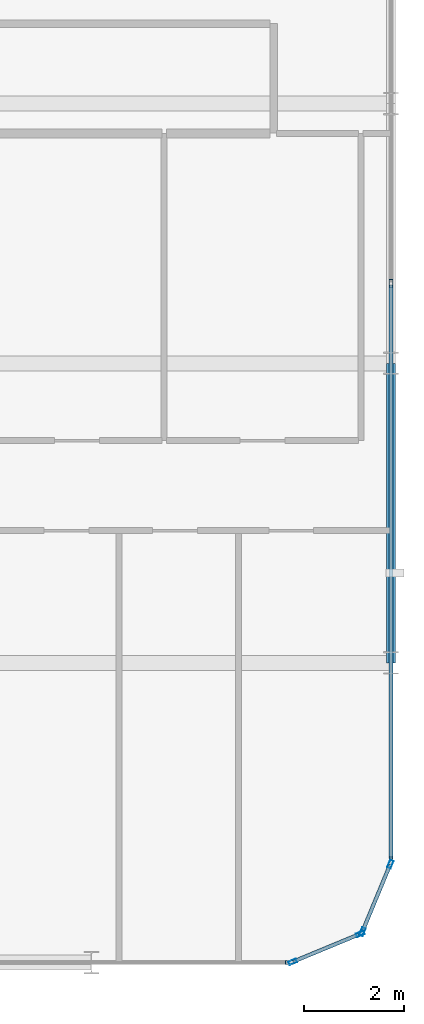
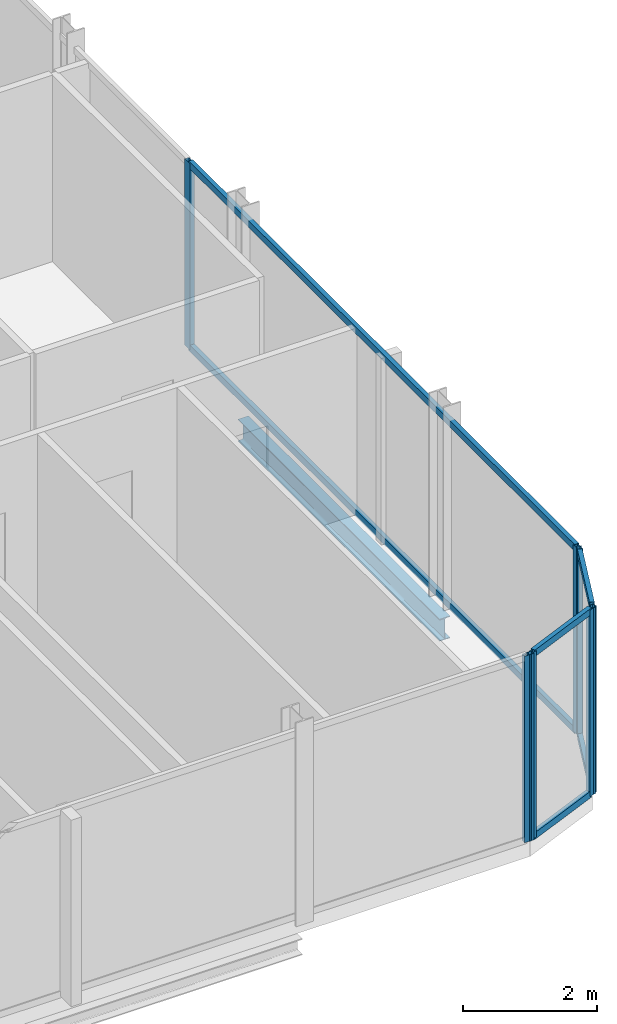
# One storey, part 12 of 29: 13 members, 1 beam, 4 elements without a shape of their own.
"""IFC4 building model written with IfcOpenShell, lengths in metres."""

from ifc_helpers import new_model, si_unit, direction, frame, origin, origin_2d, place, context, subcontext, project, spatial, hollow_rectangle, i_section, extrude, material, layer, layer_set, material_profile, profile_set, type_object, element, aggregate, save


model = new_model("IFC4")

# Units and contexts
model_context = context("Model", 3, precision=1e-05, world=origin(), true_north=direction((0.0, 1.0)))
body_context = subcontext(model_context, "Body", "Model", "MODEL_VIEW")
ifc_project = project(units=[si_unit("LENGTHUNIT", "METRE"), si_unit("AREAUNIT", "SQUARE_METRE"), si_unit("VOLUMEUNIT", "CUBIC_METRE"), si_unit("PLANEANGLEUNIT", "RADIAN"), si_unit("MASSUNIT", "GRAM", prefix="KILO")], contexts=[model_context])

# Site, building, storey
site_placement = place(None, origin())
site = spatial("IfcSite", under=ifc_project, at=site_placement, CompositionType="ELEMENT")
building_placement = place(site_placement, origin())
building = spatial("IfcBuilding", under=site, at=building_placement, Name="Keshet Zoharim Tower", CompositionType="ELEMENT")
storey_placement = place(building_placement, frame((0.0, 0.0, 210.60009765625)))
storey = spatial("IfcBuildingStorey", under=building, at=storey_placement, Name="L52", CompositionType="ELEMENT", Elevation=210.60009765625)

# Beam
ifc_material_1 = material(Name="Steel S355", Category="steel")
ifc_material_profile_1 = material_profile(ifc_material_1, i_section(OverallWidth=0.179931640625, OverallDepth=0.39990234375, WebThickness=0.008544921875, FlangeThickness=0.013427734375, FilletRadius=0.02099609375, at=origin_2d()), Name="IPE400")
ifc_profile_set_1 = profile_set([ifc_material_profile_1], Name="Steel S355")
beam_type = type_object("IfcBeamType", Name="BM-PRI-IP400", PredefinedType="BEAM", material=ifc_profile_set_1)
beam_placement = place(storey_placement, frame((57.0, 6.699951171875, -0.510009765625), z_axis=(0.0, 1.0, 0.0), x_axis=(-1.0, 0.0, 0.0)))
element("IfcBeam", 1, at=beam_placement, inside=storey, type_object=beam_type, Name="L52 Primary Girder Y-013", PredefinedType="BEAM", context=body_context, shape_type="SweptSolid", body=[
    extrude(i_section(OverallWidth=0.179931640625, OverallDepth=0.39990234375, WebThickness=0.008544921875, FlangeThickness=0.013427734375, FilletRadius=0.02099609375, at=origin_2d()), origin(), (0.0, 0.0, 1.0), 6.0),
])

# Curtain wall, members
ifc_material_2 = material(Name="Aluminium 6063-T6", Category="aluminium")
ifc_layer = layer(ifc_material_2, 0.139892578125)
ifc_layer_set = layer_set([ifc_layer], Name="Aluminium 6063-T6")
curtain_wall_type = type_object("IfcCurtainWallType", Name="CW-SYS-05", PredefinedType="NOTDEFINED", material=ifc_layer_set)
curtain_wall_1_placement = place(storey_placement, origin())
curtain_wall_1 = element("IfcCurtainWall", 2, at=curtain_wall_1_placement, inside=storey, type_object=curtain_wall_type, Name="L52 Unitised Curtain Wall 03", PredefinedType="NOTDEFINED")
ifc_material_profile_2 = material_profile(ifc_material_2, hollow_rectangle(XDim=0.074951171875, YDim=0.159912109375, WallThickness=0.00390625, at=origin_2d()), Name="MUL-75x160")
ifc_profile_set_2 = profile_set([ifc_material_profile_2], Name="Aluminium 6063-T6")
member_type_1 = type_object("IfcMemberType", Name="CWM-M15", PredefinedType="MULLION", material=ifc_profile_set_2)
member_1_placement = place(storey_placement, frame((57.0, 14.300048828125, 0.0), z_axis=(0.0, 0.0, 1.0), x_axis=(1.0, 0.0, 0.0)))
member_1 = element("IfcMember", 3, at=member_1_placement, type_object=member_type_1, Name="CW-05 mullion 2", PredefinedType="MULLION", context=body_context, shape_type="SweptSolid", body=[
    extrude(hollow_rectangle(XDim=0.074951171875, YDim=0.159912109375, WallThickness=0.00390625, at=origin_2d()), origin(), (0.0, 0.0, 1.0), 3.389892578125),
])
member_2_placement = place(storey_placement, frame((57.0, 2.735107421875, 0.0), z_axis=(0.0, 0.0, 1.0), x_axis=(1.0, 0.0, 0.0)))
member_2 = element("IfcMember", 4, at=member_2_placement, type_object=member_type_1, Name="CW-05 mullion 3", PredefinedType="MULLION", context=body_context, shape_type="SweptSolid", body=[
    extrude(hollow_rectangle(XDim=0.074951171875, YDim=0.159912109375, WallThickness=0.00390625, at=origin_2d()), origin(), (0.0, 0.0, 1.0), 3.389892578125),
])

curtain_wall_2_placement = place(storey_placement, origin())
curtain_wall_2 = element("IfcCurtainWall", 5, at=curtain_wall_2_placement, inside=storey, type_object=curtain_wall_type, Name="L52 Unitised Curtain Wall 04", PredefinedType="NOTDEFINED")
member_3_placement = place(storey_placement, frame((56.986572265625, 2.667724609375, 0.0), z_axis=(0.0, 0.0, 1.0), x_axis=(0.92380975372, -0.382851849847, 0.0)))
member_3 = element("IfcMember", 6, at=member_3_placement, type_object=member_type_1, Name="CW-05 mullion 1", PredefinedType="MULLION", context=body_context, shape_type="SweptSolid", body=[
    extrude(hollow_rectangle(XDim=0.074951171875, YDim=0.159912109375, WallThickness=0.00390625, at=origin_2d()), origin(), (0.0, 0.0, 1.0), 3.389892578125),
])
member_4_placement = place(storey_placement, frame((56.427490234375, 1.318359375, 0.0), z_axis=(0.0, 0.0, 1.0), x_axis=(0.92380975372, -0.382851849847, 0.0)))
member_4 = element("IfcMember", 7, at=member_4_placement, type_object=member_type_1, Name="CW-05 mullion 2", PredefinedType="MULLION", context=body_context, shape_type="SweptSolid", body=[
    extrude(hollow_rectangle(XDim=0.074951171875, YDim=0.159912109375, WallThickness=0.00390625, at=origin_2d()), origin(), (0.0, 0.0, 1.0), 3.389892578125),
])

curtain_wall_3_placement = place(storey_placement, origin())
curtain_wall_3 = element("IfcCurtainWall", 8, at=curtain_wall_3_placement, inside=storey, type_object=curtain_wall_type, Name="L52 Unitised Curtain Wall 05", PredefinedType="NOTDEFINED")
member_5_placement = place(storey_placement, frame((56.381591796875, 1.272705078125, 0.0), z_axis=(0.0, 0.0, 1.0), x_axis=(0.382851849847, -0.92380975372, 0.0)))
member_5 = element("IfcMember", 9, at=member_5_placement, type_object=member_type_1, Name="CW-05 mullion 1", PredefinedType="MULLION", context=body_context, shape_type="SweptSolid", body=[
    extrude(hollow_rectangle(XDim=0.074951171875, YDim=0.159912109375, WallThickness=0.00390625, at=origin_2d()), origin(), (0.0, 0.0, 1.0), 3.389892578125),
])
member_6_placement = place(storey_placement, frame((55.0322265625, 0.71337890625, 0.0), z_axis=(0.0, 0.0, 1.0), x_axis=(0.382851849847, -0.92380975372, 0.0)))
member_6 = element("IfcMember", 10, at=member_6_placement, type_object=member_type_1, Name="CW-05 mullion 2", PredefinedType="MULLION", context=body_context, shape_type="SweptSolid", body=[
    extrude(hollow_rectangle(XDim=0.074951171875, YDim=0.159912109375, WallThickness=0.00390625, at=origin_2d()), origin(), (0.0, 0.0, 1.0), 3.389892578125),
])

# Curtain wall, member
curtain_wall_4_placement = place(storey_placement, origin())
curtain_wall_4 = element("IfcCurtainWall", 11, at=curtain_wall_4_placement, inside=storey, type_object=curtain_wall_type, Name="L52 Unitised Curtain Wall 06", PredefinedType="NOTDEFINED")
member_7_placement = place(storey_placement, frame((54.965087890625, 0.699951171875, 0.0), z_axis=(0.0, 0.0, 1.0), x_axis=(0.0, -1.0, 0.0)))
member_7 = element("IfcMember", 12, at=member_7_placement, type_object=member_type_1, Name="CW-05 mullion 1", PredefinedType="MULLION", context=body_context, shape_type="SweptSolid", body=[
    extrude(hollow_rectangle(XDim=0.074951171875, YDim=0.159912109375, WallThickness=0.00390625, at=origin_2d()), origin(), (0.0, 0.0, 1.0), 3.389892578125),
])
aggregate(curtain_wall_4, [member_7])

# Member
ifc_material_profile_3 = material_profile(ifc_material_2, hollow_rectangle(XDim=0.074951171875, YDim=0.1201171875, WallThickness=0.00390625, at=origin_2d()), Name="TRN-75x120")
ifc_profile_set_3 = profile_set([ifc_material_profile_3], Name="Aluminium 6063-T6")
member_type_2 = type_object("IfcMemberType", Name="CWT-T12", PredefinedType="USERDEFINED", material=ifc_profile_set_3)
member_8_placement = place(storey_placement, frame((57.0, 14.264892578125, 0.034912109375), z_axis=(0.0, -1.0, 0.0), x_axis=(1.0, 0.0, 0.0)))
member_8 = element("IfcMember", 13, at=member_8_placement, type_object=member_type_2, Name="CW-05 transom 2.1", ObjectType="TRANSOM", PredefinedType="USERDEFINED", context=body_context, shape_type="SweptSolid", body=[
    extrude(hollow_rectangle(XDim=0.074951171875, YDim=0.1201171875, WallThickness=0.00390625, at=origin_2d()), origin(), (0.0, 0.0, 1.0), 11.494873046875),
])

member_9_placement = place(storey_placement, frame((57.0, 14.264892578125, 3.35498046875), z_axis=(0.0, -1.0, 0.0), x_axis=(1.0, 0.0, 0.0)))
member_9 = element("IfcMember", 14, at=member_9_placement, type_object=member_type_2, Name="CW-05 transom 2.2", ObjectType="TRANSOM", PredefinedType="USERDEFINED", context=body_context, shape_type="SweptSolid", body=[
    extrude(hollow_rectangle(XDim=0.074951171875, YDim=0.1201171875, WallThickness=0.00390625, at=origin_2d()), origin(), (0.0, 0.0, 1.0), 11.494873046875),
])

aggregate(curtain_wall_1, [member_1, member_2, member_8, member_9])

member_10_placement = place(storey_placement, frame((56.97314453125, 2.63525390625, 0.034912109375), z_axis=(-0.382744609247, -0.923854189844, 0.0), x_axis=(0.923854189844, -0.382744609247, 0.0)))
member_10 = element("IfcMember", 15, at=member_10_placement, type_object=member_type_2, Name="CW-05 transom 1.1", ObjectType="TRANSOM", PredefinedType="USERDEFINED", context=body_context, shape_type="SweptSolid", body=[
    extrude(hollow_rectangle(XDim=0.074951171875, YDim=0.1201171875, WallThickness=0.00390625, at=origin_2d()), origin(), (0.0, 0.0, 1.0), 1.390625),
])

member_11_placement = place(storey_placement, frame((56.97314453125, 2.63525390625, 3.35498046875), z_axis=(-0.382744609247, -0.923854189844, 0.0), x_axis=(0.923854189844, -0.382744609247, 0.0)))
member_11 = element("IfcMember", 16, at=member_11_placement, type_object=member_type_2, Name="CW-05 transom 1.2", ObjectType="TRANSOM", PredefinedType="USERDEFINED", context=body_context, shape_type="SweptSolid", body=[
    extrude(hollow_rectangle(XDim=0.074951171875, YDim=0.1201171875, WallThickness=0.00390625, at=origin_2d()), origin(), (0.0, 0.0, 1.0), 1.390625),
])

aggregate(curtain_wall_2, [member_3, member_4, member_10, member_11])

member_12_placement = place(storey_placement, frame((56.349365234375, 1.25927734375, 0.034912109375), z_axis=(-0.92379209995, -0.382894445076, 0.0), x_axis=(0.382894445076, -0.92379209995, 0.0)))
member_12 = element("IfcMember", 17, at=member_12_placement, type_object=member_type_2, Name="CW-05 transom 1.1", ObjectType="TRANSOM", PredefinedType="USERDEFINED", context=body_context, shape_type="SweptSolid", body=[
    extrude(hollow_rectangle(XDim=0.074951171875, YDim=0.1201171875, WallThickness=0.00390625, at=origin_2d()), origin(), (0.0, 0.0, 1.0), 1.390625),
])

member_13_placement = place(storey_placement, frame((56.349365234375, 1.25927734375, 3.35498046875), z_axis=(-0.92379209995, -0.382894445076, 0.0), x_axis=(0.382894445076, -0.92379209995, 0.0)))
member_13 = element("IfcMember", 18, at=member_13_placement, type_object=member_type_2, Name="CW-05 transom 1.2", ObjectType="TRANSOM", PredefinedType="USERDEFINED", context=body_context, shape_type="SweptSolid", body=[
    extrude(hollow_rectangle(XDim=0.074951171875, YDim=0.1201171875, WallThickness=0.00390625, at=origin_2d()), origin(), (0.0, 0.0, 1.0), 1.390625),
])

aggregate(curtain_wall_3, [member_5, member_6, member_12, member_13])

save(model, "model.ifc")
